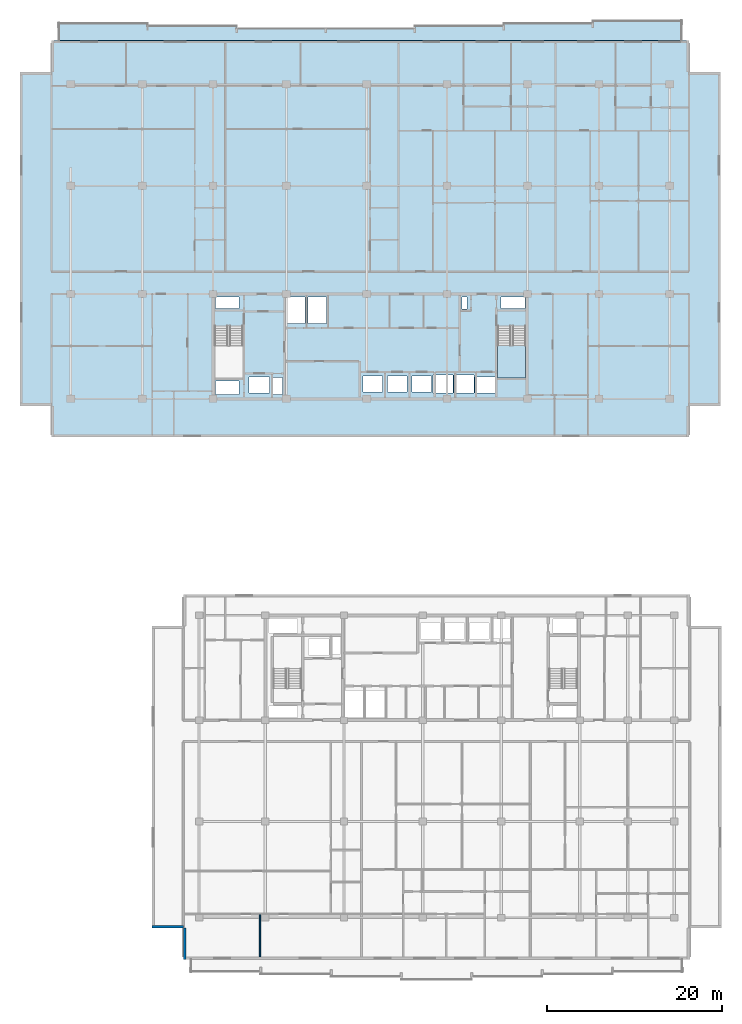
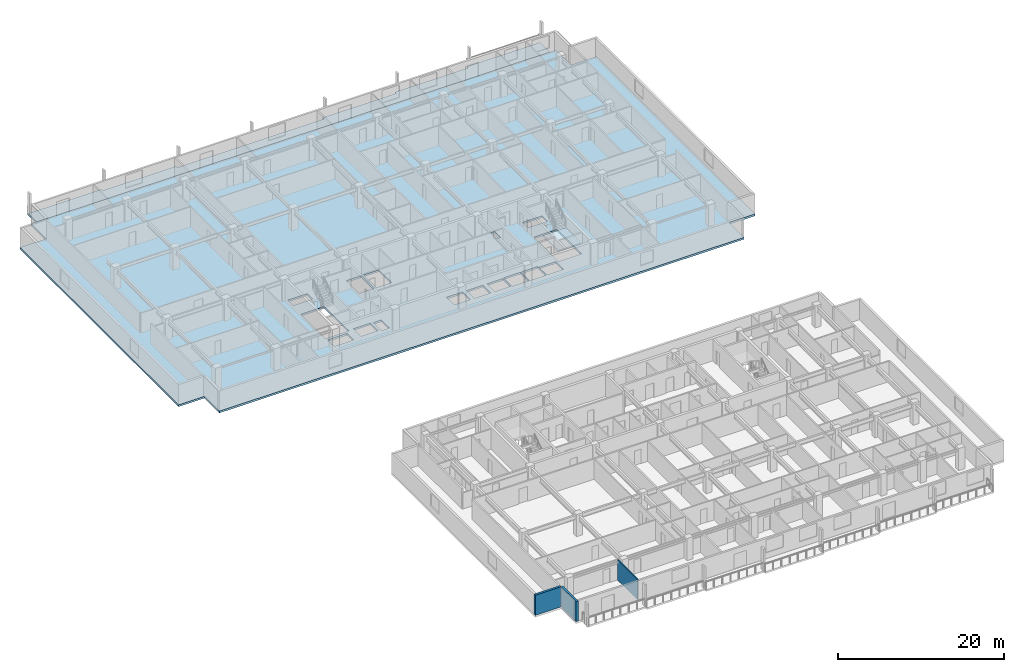
# One storey, part 3 of 21: 3 slabs, 3 walls, 1 element without a shape of its own.
"""IFC4 building model written with IfcOpenShell, lengths in metres."""

from ifc_helpers import new_model, si_unit, direction, frame, frame_2d, origin, place, context, subcontext, project, spatial, polyline, rectangle, outline, extrude, material, layer, layer_set, type_object, element, aggregate, save


model = new_model("IFC4")

# Units and contexts
model_context = context("Model", 3, precision=1e-05, world=origin(), true_north=direction((0.0, 1.0)))
body_context = subcontext(model_context, "Body", "Model", "MODEL_VIEW")
ifc_project = project(units=[si_unit("LENGTHUNIT", "METRE"), si_unit("AREAUNIT", "SQUARE_METRE"), si_unit("VOLUMEUNIT", "CUBIC_METRE"), si_unit("PLANEANGLEUNIT", "RADIAN"), si_unit("MASSUNIT", "GRAM", prefix="KILO")], contexts=[model_context])

# Site, building, storey
site_placement = place(None, origin())
site = spatial("IfcSite", under=ifc_project, at=site_placement, CompositionType="ELEMENT")
building_placement = place(site_placement, origin())
building = spatial("IfcBuilding", under=site, at=building_placement, Name="Korimba Cascade Residences", CompositionType="ELEMENT")
storey_placement = place(building_placement, frame((0.0, 0.0, 116.550048828125)))
storey = spatial("IfcBuildingStorey", under=building, at=storey_placement, Name="L33", CompositionType="ELEMENT", Elevation=116.550048828125)

# Stair, slab
ifc_material_1 = material(Name="Concrete C50/60", Category="concrete")
stair_type = type_object("IfcStairType", Name="STR-W2-18R-1806", PredefinedType="HALF_TURN_STAIR", material=ifc_material_1)
stair_placement = place(storey_placement, origin())
stair = element("IfcStair", 1, at=stair_placement, inside=storey, type_object=stair_type, Name="L33 Tower 1 East Fire Stair ST-W2", PredefinedType="HALF_TURN_STAIR")
ifc_layer_1 = layer(ifc_material_1, 0.199951171875)
ifc_layer_set_1 = layer_set([ifc_layer_1], Name="Concrete C50/60")
slab_type_1 = type_object("IfcSlabType", Name="SLB-LND-220", PredefinedType="LANDING", material=ifc_layer_set_1)
slab_1_placement = place(storey_placement, frame((0.0, 0.0, 1.425048828125)))
slab_1 = element("IfcSlab", 2, at=slab_1_placement, type_object=slab_type_1, Name="ST-W2 landing 1", PredefinedType="LANDING", context=body_context, shape_type="SweptSolid", body=[
    extrude(outline(polyline([(108.659912109375, 61.31005859375), (108.659912109375, 57.60009765625), (111.89990234375, 57.60009765625), (111.89990234375, 61.31005859375), (108.659912109375, 61.31005859375)])), origin(), (0.0, 0.0, 1.0), 0.199951171875),
])
aggregate(stair, [slab_1])

# Slabs
ifc_material_2 = material(Name="Precast concrete C40/50", Category="concrete")
ifc_layer_2 = layer(ifc_material_2, 0.239990234375)
ifc_layer_set_2 = layer_set([ifc_layer_2], Name="Precast concrete C40/50")
slab_type_2 = type_object("IfcSlabType", Name="SLB-LOG-240", PredefinedType="FLOOR", material=ifc_layer_set_2)
slab_2_placement = place(storey_placement, frame((0.0, 0.0, -0.239990234375)))
element("IfcSlab", 3, at=slab_2_placement, inside=storey, type_object=slab_type_2, Name="L33 Tower 1 North Loggia Slab", PredefinedType="FLOOR", context=body_context, shape_type="SweptSolid", body=[
    extrude(outline(polyline([(58.39990234375, 96.199951171875), (129.800048828125, 96.199951171875), (129.800048828125, 98.550048828125), (119.60009765625, 98.550048828125), (119.60009765625, 98.25), (109.39990234375, 98.25), (109.39990234375, 97.949951171875), (99.199951171875, 97.949951171875), (99.199951171875, 97.64990234375), (78.800048828125, 97.64990234375), (78.800048828125, 97.949951171875), (68.60009765625, 97.949951171875), (68.60009765625, 98.25), (58.39990234375, 98.25), (58.39990234375, 96.199951171875)])), origin(), (0.0, 0.0, 1.0), 0.239990234375),
])
ifc_layer_3 = layer(ifc_material_1, 0.280029296875)
ifc_layer_set_3 = layer_set([ifc_layer_3], Name="Concrete C50/60")
slab_type_3 = type_object("IfcSlabType", Name="SLB-TYP-280", PredefinedType="FLOOR", material=ifc_layer_set_3)
slab_3_placement = place(storey_placement, frame((0.0, 0.0, -0.280029296875)))
element("IfcSlab", 4, at=slab_3_placement, inside=storey, type_object=slab_type_3, Name="L33 Tower 1 Floor Slab", PredefinedType="FLOOR", context=body_context, shape_type="SweptSolid", body=[
    extrude(outline(polyline([(57.60009765625, 50.800048828125), (130.60009765625, 50.800048828125), (130.60009765625, 54.39990234375), (134.199951171875, 54.39990234375), (134.199951171875, 92.60009765625), (130.60009765625, 92.60009765625), (130.60009765625, 96.199951171875), (57.60009765625, 96.199951171875), (57.60009765625, 92.60009765625), (54.0, 92.60009765625), (54.0, 54.39990234375), (57.60009765625, 54.39990234375), (57.60009765625, 50.800048828125)]), holes=[polyline([(76.300048828125, 63.514892578125), (76.300048828125, 57.60009765625), (79.5400390625, 57.60009765625), (79.5400390625, 63.514892578125), (76.300048828125, 63.514892578125)]), polyline([(108.659912109375, 63.514892578125), (108.659912109375, 57.60009765625), (111.89990234375, 57.60009765625), (111.89990234375, 63.514892578125), (108.659912109375, 63.514892578125)]), polyline([(80.22998046875, 55.8798828125), (82.570068359375, 55.8798828125), (82.570068359375, 57.719970703125), (80.22998046875, 57.719970703125), (80.22998046875, 55.8798828125)]), polyline([(106.080078125, 55.8798828125), (108.419921875, 55.8798828125), (108.419921875, 57.719970703125), (106.080078125, 57.719970703125), (106.080078125, 55.8798828125)]), polyline([(93.280029296875, 55.97998046875), (95.52001953125, 55.97998046875), (95.52001953125, 57.820068359375), (93.280029296875, 57.820068359375), (93.280029296875, 55.97998046875)]), polyline([(96.080078125, 55.97998046875), (98.320068359375, 55.97998046875), (98.320068359375, 57.820068359375), (96.080078125, 57.820068359375), (96.080078125, 55.97998046875)]), polyline([(98.8798828125, 55.97998046875), (101.1201171875, 55.97998046875), (101.1201171875, 57.820068359375), (98.8798828125, 57.820068359375), (98.8798828125, 55.97998046875)]), polyline([(101.304931640625, 55.8798828125), (103.594970703125, 55.8798828125), (103.594970703125, 57.919921875), (101.304931640625, 57.919921875), (101.304931640625, 55.8798828125)]), polyline([(103.705078125, 55.8798828125), (105.9951171875, 55.8798828125), (105.9951171875, 57.919921875), (103.705078125, 57.919921875), (103.705078125, 55.8798828125)]), polyline([(82.97998046875, 55.679931640625), (84.080078125, 55.679931640625), (84.080078125, 57.6201171875), (82.97998046875, 57.6201171875), (82.97998046875, 55.679931640625)]), polyline([(76.39990234375, 65.56005859375), (79.10009765625, 65.56005859375), (79.10009765625, 66.8798828125), (76.39990234375, 66.8798828125), (76.39990234375, 65.56005859375)]), polyline([(76.39990234375, 55.679931640625), (79.10009765625, 55.679931640625), (79.10009765625, 57.239990234375), (76.39990234375, 57.239990234375), (76.39990234375, 55.679931640625)]), polyline([(84.530029296875, 63.820068359375), (86.6201171875, 63.820068359375), (86.6201171875, 66.8798828125), (84.530029296875, 66.8798828125), (84.530029296875, 63.820068359375)]), polyline([(86.97998046875, 63.820068359375), (89.070068359375, 63.820068359375), (89.070068359375, 66.8798828125), (86.97998046875, 66.8798828125), (86.97998046875, 63.820068359375)]), polyline([(104.6201171875, 65.4599609375), (105.179931640625, 65.4599609375), (105.179931640625, 66.8798828125), (104.6201171875, 66.8798828125), (104.6201171875, 65.4599609375)]), polyline([(109.080078125, 65.56005859375), (111.800048828125, 65.56005859375), (111.800048828125, 66.8798828125), (109.080078125, 66.8798828125), (109.080078125, 65.56005859375)])]), origin(), (0.0, 0.0, 1.0), 0.280029296875),
])

# Walls
ifc_layer_4 = layer(ifc_material_2, 0.300048828125)
ifc_layer_set_4 = layer_set([ifc_layer_4], Name="Precast concrete C40/50")
wall_type_1 = type_object("IfcWallType", Name="EW-STONE-300", PredefinedType="STANDARD", material=ifc_layer_set_4)
wall_1_placement = place(storey_placement, frame((69.10009765625, -5.25, 0.0), z_axis=(0.0, 0.0, 1.0), x_axis=(1.0, 0.0, 0.0)))
element("IfcWall", 5, at=wall_1_placement, inside=storey, type_object=wall_type_1, Name="L33 T2 Perimeter Stone Wall E10", PredefinedType="STANDARD", context=body_context, shape_type="SweptSolid", body=[
    extrude(rectangle(XDim=3.599853515625, YDim=0.300048828125, at=frame_2d((1.7998046875, 0.0))), origin(), (0.0, 0.0, 1.0), 2.969970703125),
])
wall_2_placement = place(storey_placement, frame((72.85009765625, -5.39990234375, 0.0), z_axis=(0.0, 0.0, 1.0), x_axis=(0.0, -1.0, 0.0)))
element("IfcWall", 6, at=wall_2_placement, inside=storey, type_object=wall_type_1, Name="L33 T2 Perimeter Stone Wall E11", PredefinedType="STANDARD", context=body_context, shape_type="SweptSolid", body=[
    extrude(rectangle(XDim=3.60009765625, YDim=0.300048828125, at=frame_2d((1.800048828125, 0.0))), origin(), (0.0, 0.0, 1.0), 2.969970703125),
])
ifc_material_3 = material(Name="Insulated Acoustic Stud Partition", Category="gypsum")
ifc_layer_5 = layer(ifc_material_3, 0.14990234375)
ifc_layer_set_5 = layer_set([ifc_layer_5], Name="Insulated Acoustic Stud Partition")
wall_type_2 = type_object("IfcWallType", Name="WAL-PART-150", PredefinedType="PARTITIONING", material=ifc_layer_set_5)
wall_3_placement = place(storey_placement, frame((81.475341796875, -8.699951171875, 0.0), z_axis=(0.0, 0.0, 1.0), x_axis=(0.0, 1.0, 0.0)))
element("IfcWall", 7, at=wall_3_placement, inside=storey, type_object=wall_type_2, Name="L33 Partition Wall WAL-L33-T2-U01-OUTV", PredefinedType="PARTITIONING", context=body_context, shape_type="SweptSolid", body=[
    extrude(rectangle(XDim=4.820068359375, YDim=0.14990234375, at=frame_2d((2.41015625, 0.0))), origin(), (0.0, 0.0, 1.0), 2.969970703125),
])

save(model, "model.ifc")
